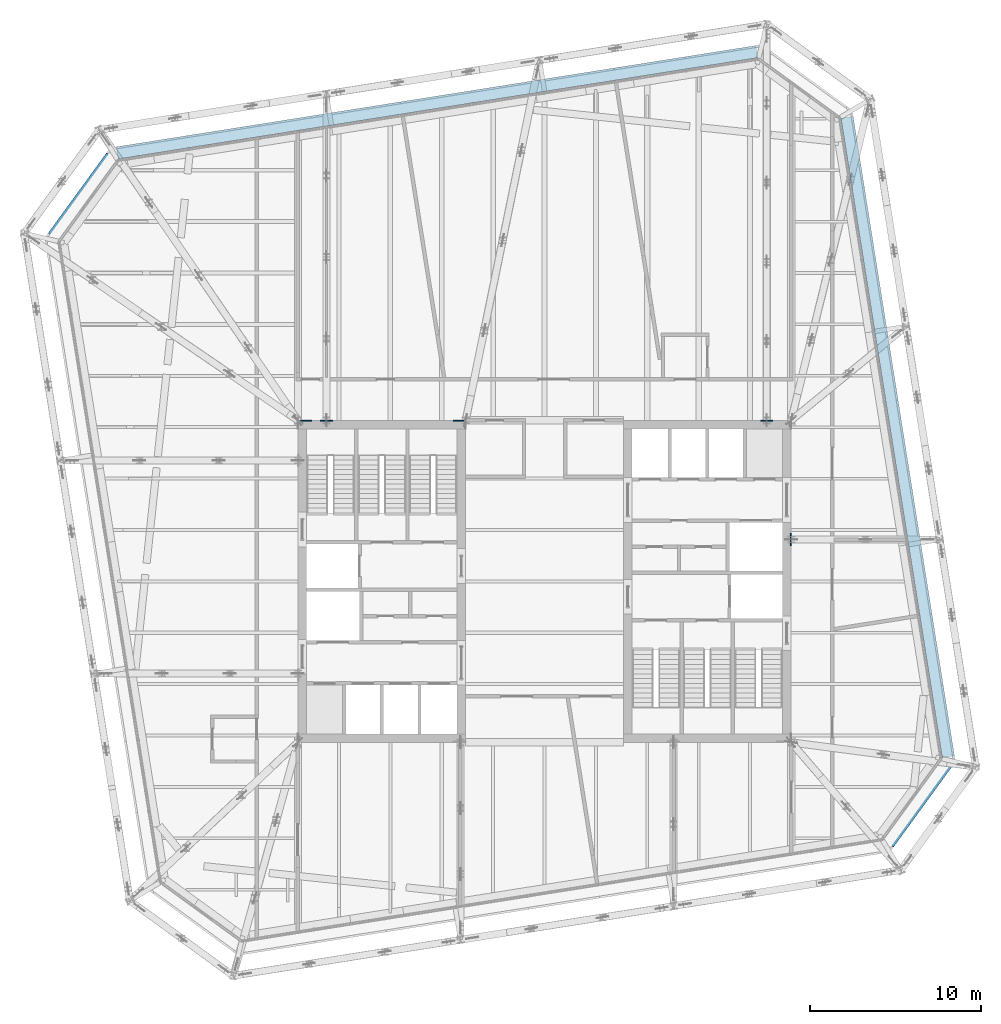
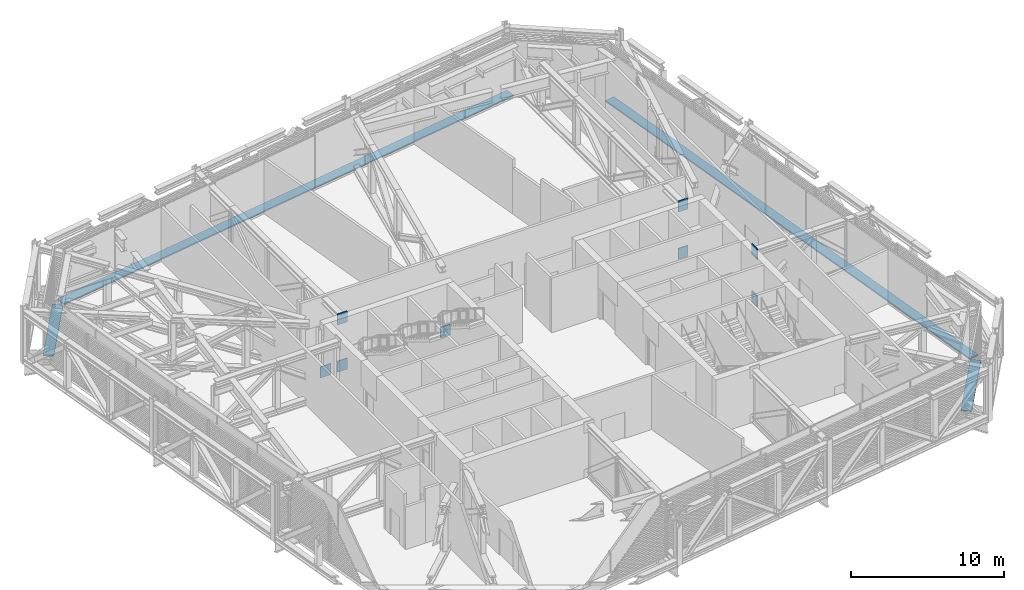
# One storey, part 25 of 32: 12 discrete accessories.
"""IFC4 building model written with IfcOpenShell, lengths in metres."""

from ifc_helpers import new_model, si_unit, direction, frame, origin, origin_2d, place, context, subcontext, project, spatial, rectangle, extrude, material, layer, layer_set, type_object, element, save


model = new_model("IFC4")

# Units and contexts
model_context = context("Model", 3, precision=1e-05, world=origin(), true_north=direction((0.0, 1.0)))
body_context = subcontext(model_context, "Body", "Model", "MODEL_VIEW")
ifc_project = project(units=[si_unit("LENGTHUNIT", "METRE"), si_unit("AREAUNIT", "SQUARE_METRE"), si_unit("VOLUMEUNIT", "CUBIC_METRE"), si_unit("PLANEANGLEUNIT", "RADIAN"), si_unit("MASSUNIT", "GRAM", prefix="KILO")], contexts=[model_context])

# Site, building, storey
site_placement = place(None, origin())
site = spatial("IfcSite", under=ifc_project, at=site_placement, CompositionType="ELEMENT")
building_placement = place(site_placement, origin())
building = spatial("IfcBuilding", under=site, at=building_placement, Name="Millrace Tower", CompositionType="ELEMENT")
storey_placement = place(building_placement, frame((0.0, 0.0, 266.89990234375)))
storey = spatial("IfcBuildingStorey", under=building, at=storey_placement, Name="L61", CompositionType="ELEMENT", Elevation=266.89990234375)

# Discrete accessories
ifc_material_1 = material(Name="Steel ASTM A572 Grade 50", Category="steel")
ifc_layer_1 = layer(ifc_material_1, 0.06494140625)
ifc_layer_set_1 = layer_set([ifc_layer_1], Name="Steel ASTM A572 Grade 50")
discrete_accessory_type_1 = type_object("IfcDiscreteAccessoryType", Name="Cast-in anchor plate 725x875x65", PredefinedType="ANCHORPLATE", material=ifc_layer_set_1)
for number, where, z_axis, x_axis, name in (
    (1, (14.3349609375, 2.4384765625, 0.237548828125), (1.0, 0.0, 0.0), (0.0, 1.0, 0.0), "Cast-in anchor plate BLT-L61-O07-B01"),
    (2, (14.3349609375, 2.4384765625, 4.002685546875), (1.0, 0.0, 0.0), (0.0, 1.0, 0.0), "Cast-in anchor plate BLT-L61-O07-T01"),
    (3, (12.974609375, 9.3349609375, 0.237548828125), (0.0, 1.0, 0.0), (-1.0, 0.0, 0.0), "Cast-in anchor plate BLT-L61-O10-B01"),
    (4, (12.974609375, 9.3349609375, 4.002685546875), (0.0, 1.0, 0.0), (-1.0, 0.0, 0.0), "Cast-in anchor plate BLT-L61-O10-T01"),
    (5, (-12.7333984375, 9.3349609375, 0.237548828125), (0.0, 1.0, 0.0), (-1.0, 0.0, 0.0), "Cast-in anchor plate BLT-L61-O12-B01"),
    (6, (-12.7333984375, 9.3349609375, 4.002685546875), (0.0, 1.0, 0.0), (-1.0, 0.0, 0.0), "Cast-in anchor plate BLT-L61-O12-T01"),
):
    element("IfcDiscreteAccessory", number, at=place(storey_placement, frame(where, z_axis=z_axis, x_axis=x_axis)), inside=storey, type_object=discrete_accessory_type_1, Name=name, PredefinedType="ANCHORPLATE", context=body_context, shape_type="SweptSolid", body=[
        extrude(rectangle(XDim=0.72509765625, YDim=0.875, at=origin_2d()), origin(), (0.0, 0.0, 1.0), 0.06494140625),
    ])
ifc_material_2 = material(Name="Steel ASTM A572 Grade 50", Category="steel")
ifc_layer_2 = layer(ifc_material_2, 0.06494140625)
ifc_layer_set_2 = layer_set([ifc_layer_2], Name="Steel ASTM A572 Grade 50")
discrete_accessory_type_2 = type_object("IfcDiscreteAccessoryType", Name="Cast-in anchor plate 735x875x65", PredefinedType="ANCHORPLATE", material=ifc_layer_set_2)
discrete_accessory_1_placement = place(storey_placement, frame((-4.967529296875, 9.3349609375, 0.237548828125), z_axis=(0.0, 1.0, 0.0), x_axis=(-1.0, 0.0, 0.0)))
element("IfcDiscreteAccessory", 7, at=discrete_accessory_1_placement, inside=storey, type_object=discrete_accessory_type_2, Name="Cast-in anchor plate BLT-L61-O11-B01", PredefinedType="ANCHORPLATE", context=body_context, shape_type="SweptSolid", body=[
    extrude(rectangle(XDim=0.735107421875, YDim=0.875, at=origin_2d()), origin(), (0.0, 0.0, 1.0), 0.06494140625),
])
ifc_material_3 = material(Name="Steel ASTM A572 Grade 50", Category="steel")
ifc_layer_3 = layer(ifc_material_3, 0.06494140625)
ifc_layer_set_3 = layer_set([ifc_layer_3], Name="Steel ASTM A572 Grade 50")
discrete_accessory_type_3 = type_object("IfcDiscreteAccessoryType", Name="Cast-in anchor plate 815x875x65", PredefinedType="ANCHORPLATE", material=ifc_layer_set_3)
discrete_accessory_2_placement = place(storey_placement, frame((-13.992431640625, 9.3349609375, 0.237548828125), z_axis=(0.0, 1.0, 0.0), x_axis=(-1.0, 0.0, 0.0)))
element("IfcDiscreteAccessory", 8, at=discrete_accessory_2_placement, inside=storey, type_object=discrete_accessory_type_3, Name="Cast-in anchor plate BLT-L61-O13-B01", PredefinedType="ANCHORPLATE", context=body_context, shape_type="SweptSolid", body=[
    extrude(rectangle(XDim=0.81494140625, YDim=0.875, at=origin_2d()), origin(), (0.0, 0.0, 1.0), 0.06494140625),
])
ifc_material_4 = material(Name="Stainless steel ASTM A240 type 316", Category="steel")
discrete_accessory_type_4 = type_object("IfcDiscreteAccessoryType", Name="Thermally broken screen support rail", PredefinedType="BRACKET", material=ifc_material_4)
discrete_accessory_3_placement = place(storey_placement, frame((21.781982421875, -12.964599609375, 0.0), z_axis=(0.0, 0.0, 1.0), x_axis=(0.587785305991, 0.809016955361, 0.0)))
element("IfcDiscreteAccessory", 9, at=discrete_accessory_3_placement, inside=storey, type_object=discrete_accessory_type_4, Name="Thermally broken screen support rail D-F03 L61 1", PredefinedType="BRACKET", context=body_context, shape_type="SweptSolid", body=[
    extrude(rectangle(XDim=5.79833984375, YDim=0.719970703125, at=origin_2d()), origin(), (0.0, 0.0, 1.0), 0.10009765625),
])
for number, where, z_axis, x_axis, name in (
    (10, (20.62060546875, 8.427734375, 0.0), (0.0, 0.0, 1.0), (-0.156434471884, 0.987688339511, 0.0), "Thermally broken screen support rail D-F04 L61 1"),
    (11, (-6.27783203125, 27.970458984375, 0.0), (0.0, 0.0, 1.0), (-0.987688339511, -0.156434471884, 0.0), "Thermally broken screen support rail D-F06 L61 1"),
):
    element("IfcDiscreteAccessory", number, at=place(storey_placement, frame(where, z_axis=z_axis, x_axis=x_axis)), inside=storey, type_object=discrete_accessory_type_4, Name=name, PredefinedType="BRACKET", context=body_context, shape_type="SweptSolid", body=[
        extrude(rectangle(XDim=37.800048828125, YDim=0.719970703125, at=origin_2d()), origin(), (0.0, 0.0, 1.0), 0.10009765625),
    ])
discrete_accessory_4_placement = place(storey_placement, frame((-26.98193359375, 22.464599609375, 0.0), z_axis=(0.0, 0.0, 1.0), x_axis=(-0.587785305991, -0.809016955361, 0.0)))
element("IfcDiscreteAccessory", 12, at=discrete_accessory_4_placement, inside=storey, type_object=discrete_accessory_type_4, Name="Thermally broken screen support rail D-F07 L61 1", PredefinedType="BRACKET", context=body_context, shape_type="SweptSolid", body=[
    extrude(rectangle(XDim=5.79833984375, YDim=0.719970703125, at=origin_2d()), origin(), (0.0, 0.0, 1.0), 0.10009765625),
])

save(model, "model.ifc")
